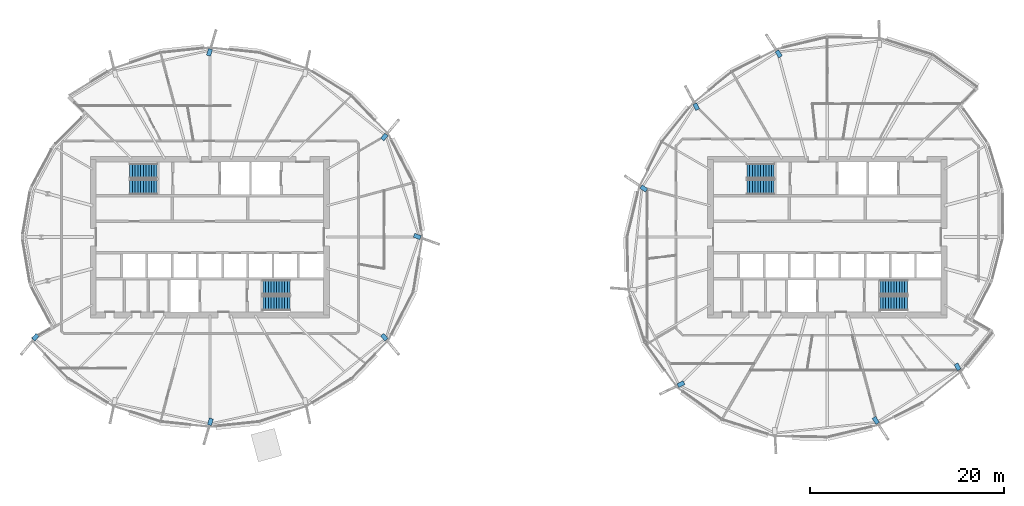
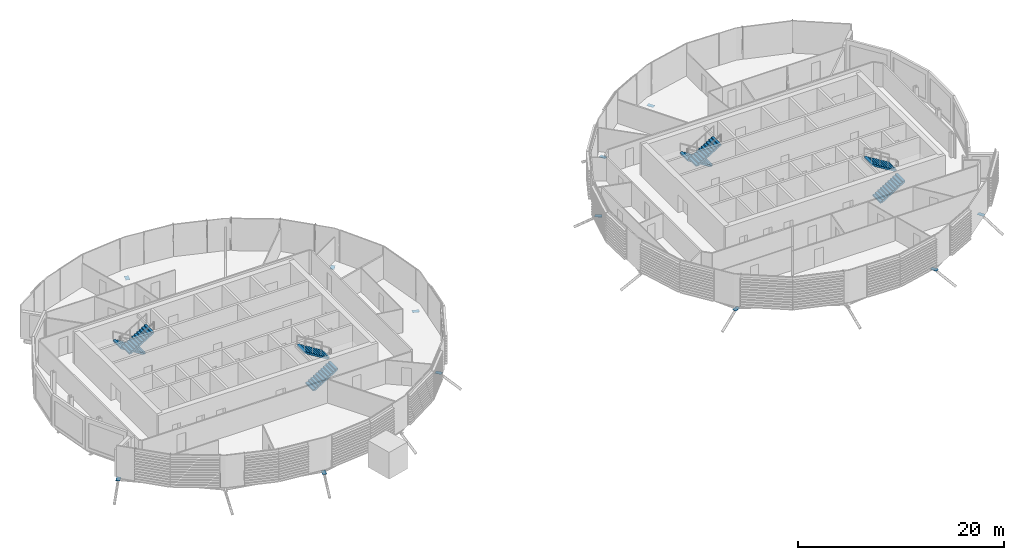
# One storey, part 25 of 38: 12 discrete accessories, 8 stair flights, 4 elements without a shape of their own.
"""IFC4 building model written with IfcOpenShell, lengths in metres."""

import ifcopenshell
import ifcopenshell.guid

model = None  # the IFC model being written
_history = None  # IfcOwnerHistory: only IFC2X3 demands one
_inside = {}  # id of a spatial element -> (the spatial element, [elements in it])
_under = {}  # id of a project, library or spatial element -> (it, [spatial elements below it])
_declared = {}  # id of a project -> (the project, [libraries it declares])
_typed = {}  # id of a type object -> (the type object, [elements of that type])
_made_of = {}  # id of a material, layer set ... -> (it, [elements and type objects made of it])


def new_model(schema):
    """Start an empty IFC model of exactly this schema.

    Asked for "IFC4X3", IfcOpenShell would pick the latest addendum, in which some entities
    have other attributes; the version numbers below select the first issue.
    IFC2X3 requires an IfcOwnerHistory on every rooted entity: one is made here for all.
    """
    global model, _history
    if schema == "IFC4X3":
        model = ifcopenshell.file(schema_version=(4, 3, 0, 0))
    else:
        model = ifcopenshell.file(schema=schema)
    _inside.clear()
    _under.clear()
    _declared.clear()
    _typed.clear()
    _made_of.clear()
    _history = None
    if model.schema == "IFC2X3":
        org = make("IfcOrganization", Name="unknown")
        user = make(
            "IfcPersonAndOrganization",
            ThePerson=make("IfcPerson", FamilyName="unknown"),
            TheOrganization=org,
        )
        app = make(
            "IfcApplication",
            ApplicationDeveloper=org,
            Version="unknown",
            ApplicationFullName="unknown",
            ApplicationIdentifier="unknown",
        )
        _history = make(
            "IfcOwnerHistory",
            OwningUser=user,
            OwningApplication=app,
            ChangeAction="ADDED",
            CreationDate=0,
        )
    return model


def make(cls, **values):
    """One entity of the class cls with the attributes given. An attribute that is None is left unset."""
    return model.create_entity(
        cls, **{name: value for name, value in values.items() if value is not None}
    )


def rooted(cls, **values):
    """An entity with a GlobalId (a new one), such as an element, a storey or a relation."""
    return make(cls, GlobalId=ifcopenshell.guid.new(), OwnerHistory=_history, **values)


def si_unit(unit_type, name, prefix=None):
    """IfcSIUnit, for example si_unit("LENGTHUNIT", "METRE", prefix="MILLI")."""
    return make("IfcSIUnit", UnitType=unit_type, Prefix=prefix, Name=name)


def assignment(units):
    """IfcUnitAssignment: the units of a project."""
    return None if units is None else make("IfcUnitAssignment", Units=units)


def point(xyz):
    """IfcCartesianPoint."""
    return None if xyz is None else make("IfcCartesianPoint", Coordinates=xyz)


def direction(xyz):
    """IfcDirection."""
    return None if xyz is None else make("IfcDirection", DirectionRatios=xyz)


def frame(location, z_axis=None, x_axis=None):
    """IfcAxis2Placement3D, a coordinate frame: its origin and axes. An axis left out is left unset."""
    return make(
        "IfcAxis2Placement3D",
        Location=point(location),
        Axis=direction(z_axis),
        RefDirection=direction(x_axis),
    )


def frame_2d(location, x_axis=None):
    """IfcAxis2Placement2D, a coordinate frame in the plane: its origin and x axis."""
    return make(
        "IfcAxis2Placement2D", Location=point(location), RefDirection=direction(x_axis)
    )


def origin():
    """The frame at (0, 0, 0) with its axes left unset."""
    return frame((0.0, 0.0, 0.0))


def origin_2d():
    """The frame at (0, 0) in the plane with its x axis left unset."""
    return frame_2d((0.0, 0.0))


def place(relative_to, where):
    """IfcLocalPlacement: puts the frame where relative to a parent placement (None: the world)."""
    return make(
        "IfcLocalPlacement", PlacementRelTo=relative_to, RelativePlacement=where
    )


def context(
    kind, dimensions, precision=None, world=None, true_north=None, identifier=None
):
    """IfcGeometricRepresentationContext, for example the 3D "Model" context."""
    return make(
        "IfcGeometricRepresentationContext",
        ContextIdentifier=identifier,
        ContextType=kind,
        CoordinateSpaceDimension=dimensions,
        Precision=precision,
        WorldCoordinateSystem=world,
        TrueNorth=true_north,
    )


def subcontext(parent, identifier, kind, view, scale=None):
    """IfcGeometricRepresentationSubContext, for example "Body" below "Model"."""
    return make(
        "IfcGeometricRepresentationSubContext",
        ContextIdentifier=identifier,
        ContextType=kind,
        ParentContext=parent,
        TargetScale=scale,
        TargetView=view,
    )


def project(units=None, contexts=None):
    """IfcProject with its units and contexts."""
    return rooted(
        "IfcProject",
        Name="project",
        RepresentationContexts=contexts,
        UnitsInContext=assignment(units),
    )


def spatial(cls, under=None, at=None, **own):
    """A site, building, storey or space (cls), placed at a placement, below another one or the project."""
    s = rooted(cls, ObjectPlacement=at, **own)
    if under is not None:
        _under.setdefault(under.id(), (under, []))[1].append(s)
    return s


def polyline(points):
    """IfcPolyline through the points."""
    return make("IfcPolyline", Points=[point(p) for p in points])


def profile(cls, at=None, kind="AREA", **sizes):
    """A parametric profile (cls). Its sizes go by their IFC names, for example OverallWidth=200.0."""
    return make(cls, ProfileType=kind, Position=at, **sizes)


def rectangle(**sizes):
    """IfcRectangleProfileDef."""
    return profile("IfcRectangleProfileDef", **sizes)


def outline(outer, holes=None, kind="AREA"):
    """IfcArbitraryClosedProfileDef: a profile drawn as a closed curve; with holes, ...WithVoids."""
    if holes is None:
        return make("IfcArbitraryClosedProfileDef", ProfileType=kind, OuterCurve=outer)
    return make(
        "IfcArbitraryProfileDefWithVoids",
        ProfileType=kind,
        OuterCurve=outer,
        InnerCurves=holes,
    )


def extrude(swept, where, along, depth):
    """IfcExtrudedAreaSolid: the profile swept, set in the frame where, extruded along a direction by depth."""
    return make(
        "IfcExtrudedAreaSolid",
        SweptArea=swept,
        Position=where,
        ExtrudedDirection=direction(along),
        Depth=depth,
    )


def shape(context_of_items, identifier, shape_type, items):
    """IfcShapeRepresentation: the items that make up one representation, for example the "Body"."""
    return make(
        "IfcShapeRepresentation",
        ContextOfItems=context_of_items,
        RepresentationIdentifier=identifier,
        RepresentationType=shape_type,
        Items=items,
    )


def material(Name=None, Category=None):
    """IfcMaterial."""
    return make("IfcMaterial", Name=Name, Category=Category)


def material_profile(
    of_material, cross_section, Name=None, Category=None, Priority=None
):
    """IfcMaterialProfile: a cross section and its material."""
    return make(
        "IfcMaterialProfile",
        Name=Name,
        Material=of_material,
        Profile=cross_section,
        Priority=Priority,
        Category=Category,
    )


def profile_set(profiles, Name=None, composite=None):
    """IfcMaterialProfileSet."""
    return make(
        "IfcMaterialProfileSet",
        Name=Name,
        MaterialProfiles=profiles,
        CompositeProfile=composite,
    )


def made_of(thing, what):
    """Note that an element or type object is made of a material, layer set ...; save() writes the relation."""
    if what is not None:
        _made_of.setdefault(what.id(), (what, []))[1].append(thing)
    return thing


def type_object(cls, material=None, **own):
    """A type object (cls), such as IfcWallType, which elements share."""
    return made_of(rooted(cls, **own), material)


def element(
    cls,
    number,
    at=None,
    inside=None,
    cuts=None,
    type_object=None,
    material=None,
    context=None,
    identifier="Body",
    shape_type=None,
    held_by="IfcProductDefinitionShape",
    body=None,
    shapes=None,
    **own,
):
    """One element of the class cls, such as IfcWall. Its Tag is "e" and its number.

    at: its placement. inside: the storey or other place that contains it. cuts: it is an
    opening in that element (IfcRelVoidsElement). A single representation is given by context,
    identifier, shape_type and body (its items); several are given by shapes. held_by: the class
    of the entity that holds the representations. save() writes the other relations.
    """
    e = rooted(cls, Tag="e%d" % number, ObjectPlacement=at, **own)
    if body is not None:
        shapes = [shape(context, identifier, shape_type, body)]
    if shapes is not None:
        e.Representation = make(held_by, Representations=shapes)
    if inside is not None:
        _inside.setdefault(inside.id(), (inside, []))[1].append(e)
    if cuts is not None:
        rooted(
            "IfcRelVoidsElement", RelatingBuildingElement=cuts, RelatedOpeningElement=e
        )
    if type_object is not None:
        _typed.setdefault(type_object.id(), (type_object, []))[1].append(e)
    return made_of(e, material)


def aggregate(whole, parts):
    """IfcRelAggregates: a whole, such as a stair, and the parts it consists of."""
    return rooted("IfcRelAggregates", RelatingObject=whole, RelatedObjects=parts)


def save(model, path):
    """Write the relations noted so far, then the file.

    IfcRelAggregates (storeys below a building ...), IfcRelContainedInSpatialStructure (elements
    in a storey), IfcRelDefinesByType, IfcRelAssociatesMaterial and IfcRelDeclares: one each for
    every whole, place, type object, material and project.
    """
    for whole, parts in _under.values():
        aggregate(whole, parts)
    for where, things in _inside.values():
        rooted(
            "IfcRelContainedInSpatialStructure",
            RelatedElements=things,
            RelatingStructure=where,
        )
    for kind, things in _typed.values():
        rooted("IfcRelDefinesByType", RelatedObjects=things, RelatingType=kind)
    for what, things in _made_of.values():
        rooted("IfcRelAssociatesMaterial", RelatedObjects=things, RelatingMaterial=what)
    for by, libraries in _declared.values():
        rooted("IfcRelDeclares", RelatingContext=by, RelatedDefinitions=libraries)
    model.write(path)


model = new_model("IFC4")

# Units and contexts
model_context = context("Model", 3, precision=1e-05, world=origin(), true_north=direction((0.0, 1.0)))
body_context = subcontext(model_context, "Body", "Model", "MODEL_VIEW")
ifc_project = project(units=[si_unit("LENGTHUNIT", "METRE"), si_unit("AREAUNIT", "SQUARE_METRE"), si_unit("VOLUMEUNIT", "CUBIC_METRE"), si_unit("PLANEANGLEUNIT", "RADIAN"), si_unit("MASSUNIT", "GRAM", prefix="KILO")], contexts=[model_context])

# Site, building, storey
site_placement = place(None, origin())
site = spatial("IfcSite", under=ifc_project, at=site_placement, CompositionType="ELEMENT")
building_placement = place(site_placement, origin())
building = spatial("IfcBuilding", under=site, at=building_placement, Name="Rimbun Link Towers", CompositionType="ELEMENT")
storey_placement = place(building_placement, frame((0.0, 0.0, 185.5)))
storey = spatial("IfcBuildingStorey", under=building, at=storey_placement, Name="L45", CompositionType="ELEMENT", Elevation=185.5)

# Stair, stair flights
ifc_material_1 = material(Name="Concrete C40/50", Category="concrete")
stair_type = type_object("IfcStairType", Name="Exit stair 3800 rise", PredefinedType="HALF_TURN_STAIR", material=ifc_material_1)
stair_1_placement = place(storey_placement, origin())
stair_1 = element("IfcStair", 1, at=stair_1_placement, inside=storey, type_object=stair_type, Name="L45 EXIT STAIR A", PredefinedType="HALF_TURN_STAIR")
ifc_material_2 = material(Name="Concrete C40/50", Category="concrete")
stair_flight_type = type_object("IfcStairFlightType", Name="Exit stair flight 3800 rise", PredefinedType="STRAIGHT", material=ifc_material_2)
stair_flight_1_placement = place(storey_placement, frame((-37.199951171875, 6.800048828125, 0.0), z_axis=(0.0, 0.0, 1.0), x_axis=(-1.0, 0.0, 0.0)))
stair_flight_1 = element("IfcStairFlight", 2, at=stair_flight_1_placement, type_object=stair_flight_type, Name="ST1 flight 1", NumberOfRisers=11, NumberOfTreads=10, PredefinedType="STRAIGHT", RiserHeight=0.172727273, TreadLength=0.28, context=body_context, shape_type="SweptSolid", body=[
    extrude(outline(polyline([(0.0, 0.0), (0.0, 0.172607421875), (0.280029296875, 0.172607421875), (0.280029296875, 0.345458984375), (0.56005859375, 0.345458984375), (0.56005859375, 0.51806640625), (0.840087890625, 0.51806640625), (0.840087890625, 0.69091796875), (1.1201171875, 0.69091796875), (1.1201171875, 0.863525390625), (1.39990234375, 0.863525390625), (1.39990234375, 1.036376953125), (1.679931640625, 1.036376953125), (1.679931640625, 1.208984375), (1.9599609375, 1.208984375), (1.9599609375, 1.3818359375), (2.239990234375, 1.3818359375), (2.239990234375, 1.554443359375), (2.52001953125, 1.554443359375), (2.52001953125, 1.727294921875), (2.800048828125, 1.727294921875), (2.800048828125, 1.89990234375), (2.800048828125, 1.551025390625), (0.280029296875, 0.0), (0.0, 0.0)])), frame((0.0, 0.75, 0.0), z_axis=(0.0, -1.0, 0.0), x_axis=(1.0, 0.0, 0.0)), (0.0, 0.0, 1.0), 1.5),
])
stair_flight_2_placement = place(storey_placement, frame((-40.0, 5.14990234375, 1.89990234375), z_axis=(0.0, 0.0, 1.0), x_axis=(1.0, 0.0, 0.0)))
stair_flight_2 = element("IfcStairFlight", 3, at=stair_flight_2_placement, type_object=stair_flight_type, Name="ST1 flight 2", NumberOfRisers=11, NumberOfTreads=10, PredefinedType="STRAIGHT", RiserHeight=0.172727273, TreadLength=0.28, context=body_context, shape_type="SweptSolid", body=[
    extrude(outline(polyline([(0.0, 0.0), (0.0, 0.172607421875), (0.280029296875, 0.172607421875), (0.280029296875, 0.345458984375), (0.56005859375, 0.345458984375), (0.56005859375, 0.51806640625), (0.840087890625, 0.51806640625), (0.840087890625, 0.69091796875), (1.1201171875, 0.69091796875), (1.1201171875, 0.863525390625), (1.39990234375, 0.863525390625), (1.39990234375, 1.036376953125), (1.679931640625, 1.036376953125), (1.679931640625, 1.208984375), (1.9599609375, 1.208984375), (1.9599609375, 1.3818359375), (2.239990234375, 1.3818359375), (2.239990234375, 1.554443359375), (2.52001953125, 1.554443359375), (2.52001953125, 1.727294921875), (2.800048828125, 1.727294921875), (2.800048828125, 1.89990234375), (2.800048828125, 1.551025390625), (0.280029296875, 0.0), (0.0, 0.0)])), frame((0.0, 0.75, 0.0), z_axis=(0.0, -1.0, 0.0), x_axis=(1.0, 0.0, 0.0)), (0.0, 0.0, 1.0), 1.5),
])
aggregate(stair_1, [stair_flight_1, stair_flight_2])

stair_2_placement = place(storey_placement, origin())
stair_2 = element("IfcStair", 4, at=stair_2_placement, inside=storey, type_object=stair_type, Name="L45 EXIT STAIR B", PredefinedType="HALF_TURN_STAIR")
stair_flight_3_placement = place(storey_placement, frame((-26.300048828125, -6.800048828125, 0.0), z_axis=(0.0, 0.0, 1.0), x_axis=(1.0, 0.0, 0.0)))
stair_flight_3 = element("IfcStairFlight", 5, at=stair_flight_3_placement, type_object=stair_flight_type, Name="ST2 flight 1", NumberOfRisers=11, NumberOfTreads=10, PredefinedType="STRAIGHT", RiserHeight=0.172727273, TreadLength=0.28, context=body_context, shape_type="SweptSolid", body=[
    extrude(outline(polyline([(0.0, 0.0), (0.0, 0.172607421875), (0.280029296875, 0.172607421875), (0.280029296875, 0.345458984375), (0.56005859375, 0.345458984375), (0.56005859375, 0.51806640625), (0.840087890625, 0.51806640625), (0.840087890625, 0.69091796875), (1.1201171875, 0.69091796875), (1.1201171875, 0.863525390625), (1.39990234375, 0.863525390625), (1.39990234375, 1.036376953125), (1.679931640625, 1.036376953125), (1.679931640625, 1.208984375), (1.9599609375, 1.208984375), (1.9599609375, 1.3818359375), (2.239990234375, 1.3818359375), (2.239990234375, 1.554443359375), (2.52001953125, 1.554443359375), (2.52001953125, 1.727294921875), (2.800048828125, 1.727294921875), (2.800048828125, 1.89990234375), (2.800048828125, 1.551025390625), (0.280029296875, 0.0), (0.0, 0.0)])), frame((0.0, 0.75, 0.0), z_axis=(0.0, -1.0, 0.0), x_axis=(1.0, 0.0, 0.0)), (0.0, 0.0, 1.0), 1.5),
])
stair_flight_4_placement = place(storey_placement, frame((-23.5, -5.14990234375, 1.89990234375), z_axis=(0.0, 0.0, 1.0), x_axis=(-1.0, 0.0, 0.0)))
stair_flight_4 = element("IfcStairFlight", 6, at=stair_flight_4_placement, type_object=stair_flight_type, Name="ST2 flight 2", NumberOfRisers=11, NumberOfTreads=10, PredefinedType="STRAIGHT", RiserHeight=0.172727273, TreadLength=0.28, context=body_context, shape_type="SweptSolid", body=[
    extrude(outline(polyline([(0.0, 0.0), (0.0, 0.172607421875), (0.280029296875, 0.172607421875), (0.280029296875, 0.345458984375), (0.56005859375, 0.345458984375), (0.56005859375, 0.51806640625), (0.840087890625, 0.51806640625), (0.840087890625, 0.69091796875), (1.1201171875, 0.69091796875), (1.1201171875, 0.863525390625), (1.39990234375, 0.863525390625), (1.39990234375, 1.036376953125), (1.679931640625, 1.036376953125), (1.679931640625, 1.208984375), (1.9599609375, 1.208984375), (1.9599609375, 1.3818359375), (2.239990234375, 1.3818359375), (2.239990234375, 1.554443359375), (2.52001953125, 1.554443359375), (2.52001953125, 1.727294921875), (2.800048828125, 1.727294921875), (2.800048828125, 1.89990234375), (2.800048828125, 1.551025390625), (0.280029296875, 0.0), (0.0, 0.0)])), frame((0.0, 0.75, 0.0), z_axis=(0.0, -1.0, 0.0), x_axis=(1.0, 0.0, 0.0)), (0.0, 0.0, 1.0), 1.5),
])
aggregate(stair_2, [stair_flight_3, stair_flight_4])

stair_3_placement = place(storey_placement, origin())
stair_3 = element("IfcStair", 7, at=stair_3_placement, inside=storey, type_object=stair_type, Name="L45 EXIT STAIR A", PredefinedType="HALF_TURN_STAIR")
stair_flight_5_placement = place(storey_placement, frame((26.300048828125, 6.800048828125, 0.0), z_axis=(0.0, 0.0, 1.0), x_axis=(-1.0, 0.0, 0.0)))
stair_flight_5 = element("IfcStairFlight", 8, at=stair_flight_5_placement, type_object=stair_flight_type, Name="ST3 flight 1", NumberOfRisers=11, NumberOfTreads=10, PredefinedType="STRAIGHT", RiserHeight=0.172727273, TreadLength=0.28, context=body_context, shape_type="SweptSolid", body=[
    extrude(outline(polyline([(0.0, 0.0), (0.0, 0.172607421875), (0.280029296875, 0.172607421875), (0.280029296875, 0.345458984375), (0.56005859375, 0.345458984375), (0.56005859375, 0.51806640625), (0.840087890625, 0.51806640625), (0.840087890625, 0.69091796875), (1.1201171875, 0.69091796875), (1.1201171875, 0.863525390625), (1.39990234375, 0.863525390625), (1.39990234375, 1.036376953125), (1.679931640625, 1.036376953125), (1.679931640625, 1.208984375), (1.9599609375, 1.208984375), (1.9599609375, 1.3818359375), (2.239990234375, 1.3818359375), (2.239990234375, 1.554443359375), (2.52001953125, 1.554443359375), (2.52001953125, 1.727294921875), (2.800048828125, 1.727294921875), (2.800048828125, 1.89990234375), (2.800048828125, 1.551025390625), (0.280029296875, 0.0), (0.0, 0.0)])), frame((0.0, 0.75, 0.0), z_axis=(0.0, -1.0, 0.0), x_axis=(1.0, 0.0, 0.0)), (0.0, 0.0, 1.0), 1.5),
])
stair_flight_6_placement = place(storey_placement, frame((23.5, 5.14990234375, 1.89990234375), z_axis=(0.0, 0.0, 1.0), x_axis=(1.0, 0.0, 0.0)))
stair_flight_6 = element("IfcStairFlight", 9, at=stair_flight_6_placement, type_object=stair_flight_type, Name="ST3 flight 2", NumberOfRisers=11, NumberOfTreads=10, PredefinedType="STRAIGHT", RiserHeight=0.172727273, TreadLength=0.28, context=body_context, shape_type="SweptSolid", body=[
    extrude(outline(polyline([(0.0, 0.0), (0.0, 0.172607421875), (0.280029296875, 0.172607421875), (0.280029296875, 0.345458984375), (0.56005859375, 0.345458984375), (0.56005859375, 0.51806640625), (0.840087890625, 0.51806640625), (0.840087890625, 0.69091796875), (1.1201171875, 0.69091796875), (1.1201171875, 0.863525390625), (1.39990234375, 0.863525390625), (1.39990234375, 1.036376953125), (1.679931640625, 1.036376953125), (1.679931640625, 1.208984375), (1.9599609375, 1.208984375), (1.9599609375, 1.3818359375), (2.239990234375, 1.3818359375), (2.239990234375, 1.554443359375), (2.52001953125, 1.554443359375), (2.52001953125, 1.727294921875), (2.800048828125, 1.727294921875), (2.800048828125, 1.89990234375), (2.800048828125, 1.551025390625), (0.280029296875, 0.0), (0.0, 0.0)])), frame((0.0, 0.75, 0.0), z_axis=(0.0, -1.0, 0.0), x_axis=(1.0, 0.0, 0.0)), (0.0, 0.0, 1.0), 1.5),
])
aggregate(stair_3, [stair_flight_5, stair_flight_6])

stair_4_placement = place(storey_placement, origin())
stair_4 = element("IfcStair", 10, at=stair_4_placement, inside=storey, type_object=stair_type, Name="L45 EXIT STAIR B", PredefinedType="HALF_TURN_STAIR")
stair_flight_7_placement = place(storey_placement, frame((37.199951171875, -6.800048828125, 0.0), z_axis=(0.0, 0.0, 1.0), x_axis=(1.0, 0.0, 0.0)))
stair_flight_7 = element("IfcStairFlight", 11, at=stair_flight_7_placement, type_object=stair_flight_type, Name="ST4 flight 1", NumberOfRisers=11, NumberOfTreads=10, PredefinedType="STRAIGHT", RiserHeight=0.172727273, TreadLength=0.28, context=body_context, shape_type="SweptSolid", body=[
    extrude(outline(polyline([(0.0, 0.0), (0.0, 0.172607421875), (0.280029296875, 0.172607421875), (0.280029296875, 0.345458984375), (0.56005859375, 0.345458984375), (0.56005859375, 0.51806640625), (0.840087890625, 0.51806640625), (0.840087890625, 0.69091796875), (1.1201171875, 0.69091796875), (1.1201171875, 0.863525390625), (1.39990234375, 0.863525390625), (1.39990234375, 1.036376953125), (1.679931640625, 1.036376953125), (1.679931640625, 1.208984375), (1.9599609375, 1.208984375), (1.9599609375, 1.3818359375), (2.239990234375, 1.3818359375), (2.239990234375, 1.554443359375), (2.52001953125, 1.554443359375), (2.52001953125, 1.727294921875), (2.800048828125, 1.727294921875), (2.800048828125, 1.89990234375), (2.800048828125, 1.551025390625), (0.280029296875, 0.0), (0.0, 0.0)])), frame((0.0, 0.75, 0.0), z_axis=(0.0, -1.0, 0.0), x_axis=(1.0, 0.0, 0.0)), (0.0, 0.0, 1.0), 1.5),
])
stair_flight_8_placement = place(storey_placement, frame((40.0, -5.14990234375, 1.89990234375), z_axis=(0.0, 0.0, 1.0), x_axis=(-1.0, 0.0, 0.0)))
stair_flight_8 = element("IfcStairFlight", 12, at=stair_flight_8_placement, type_object=stair_flight_type, Name="ST4 flight 2", NumberOfRisers=11, NumberOfTreads=10, PredefinedType="STRAIGHT", RiserHeight=0.172727273, TreadLength=0.28, context=body_context, shape_type="SweptSolid", body=[
    extrude(outline(polyline([(0.0, 0.0), (0.0, 0.172607421875), (0.280029296875, 0.172607421875), (0.280029296875, 0.345458984375), (0.56005859375, 0.345458984375), (0.56005859375, 0.51806640625), (0.840087890625, 0.51806640625), (0.840087890625, 0.69091796875), (1.1201171875, 0.69091796875), (1.1201171875, 0.863525390625), (1.39990234375, 0.863525390625), (1.39990234375, 1.036376953125), (1.679931640625, 1.036376953125), (1.679931640625, 1.208984375), (1.9599609375, 1.208984375), (1.9599609375, 1.3818359375), (2.239990234375, 1.3818359375), (2.239990234375, 1.554443359375), (2.52001953125, 1.554443359375), (2.52001953125, 1.727294921875), (2.800048828125, 1.727294921875), (2.800048828125, 1.89990234375), (2.800048828125, 1.551025390625), (0.280029296875, 0.0), (0.0, 0.0)])), frame((0.0, 0.75, 0.0), z_axis=(0.0, -1.0, 0.0), x_axis=(1.0, 0.0, 0.0)), (0.0, 0.0, 1.0), 1.5),
])
aggregate(stair_4, [stair_flight_7, stair_flight_8])

# Discrete accessories
ifc_material_3 = material(Name="Steel S355J2H", Category="steel")
ifc_material_profile = material_profile(ifc_material_3, rectangle(XDim=0.43310546875, YDim=0.43310546875, at=origin_2d()), Name="PL 433x433")
ifc_profile_set = profile_set([ifc_material_profile], Name="Steel S355J2H")
discrete_accessory_type = type_object("IfcDiscreteAccessoryType", Name="Link head end plate 433X20", PredefinedType="BRACKET", material=ifc_profile_set)
discrete_accessory_1_placement = place(storey_placement, frame((0.0, 0.0, -0.703125)))
element("IfcDiscreteAccessory", 13, at=discrete_accessory_1_placement, inside=storey, type_object=discrete_accessory_type, Name="Link head end plate T1 L45 00", PredefinedType="BRACKET", context=body_context, shape_type="SweptSolid", body=[
    extrude(outline(polyline([(-10.828369140625, -0.0244140625), (-10.152587890625, -0.265380859375), (-10.007080078125, 0.142333984375), (-10.682861328125, 0.383544921875), (-10.828369140625, -0.0244140625)])), origin(), (0.0, 0.0, 1.0), 0.02001953125),
])
discrete_accessory_2_placement = place(storey_placement, frame((0.0, 0.0, -0.52490234375)))
element("IfcDiscreteAccessory", 14, at=discrete_accessory_2_placement, inside=storey, type_object=discrete_accessory_type, Name="Link head end plate T1 L45 02", PredefinedType="BRACKET", context=body_context, shape_type="SweptSolid", body=[
    extrude(outline(polyline([(-13.861572265625, 9.893798828125), (-13.4248046875, 10.41943359375), (-13.7578125, 10.6962890625), (-14.194580078125, 10.170654296875), (-13.861572265625, 9.893798828125)])), origin(), (0.0, 0.0, 1.0), 0.02001953125),
])
discrete_accessory_3_placement = place(storey_placement, frame((0.0, 0.0, -0.772705078125)))
element("IfcDiscreteAccessory", 15, at=discrete_accessory_3_placement, inside=storey, type_object=discrete_accessory_type, Name="Link head end plate T1 L45 06", PredefinedType="BRACKET", context=body_context, shape_type="SweptSolid", body=[
    extrude(outline(polyline([(-31.686767578125, 18.605712890625), (-31.49072265625, 19.27978515625), (-31.906494140625, 19.400634765625), (-32.1025390625, 18.726806640625), (-31.686767578125, 18.605712890625)])), origin(), (0.0, 0.0, 1.0), 0.02001953125),
])
discrete_accessory_4_placement = place(storey_placement, frame((0.0, 0.0, -0.52490234375)))
element("IfcDiscreteAccessory", 16, at=discrete_accessory_4_placement, inside=storey, type_object=discrete_accessory_type, Name="Link head end plate T1 L45 14", PredefinedType="BRACKET", context=body_context, shape_type="SweptSolid", body=[
    extrude(outline(polyline([(-49.638427734375, -9.893798828125), (-50.0751953125, -10.41943359375), (-49.7421875, -10.6962890625), (-49.305419921875, -10.170654296875), (-49.638427734375, -9.893798828125)])), origin(), (0.0, 0.0, 1.0), 0.02001953125),
])
discrete_accessory_5_placement = place(storey_placement, frame((0.0, 0.0, -0.772705078125)))
element("IfcDiscreteAccessory", 17, at=discrete_accessory_5_placement, inside=storey, type_object=discrete_accessory_type, Name="Link head end plate T1 L45 18", PredefinedType="BRACKET", context=body_context, shape_type="SweptSolid", body=[
    extrude(outline(polyline([(-31.813232421875, -18.605712890625), (-32.00927734375, -19.27978515625), (-31.593505859375, -19.400634765625), (-31.3974609375, -18.726806640625), (-31.813232421875, -18.605712890625)])), origin(), (0.0, 0.0, 1.0), 0.02001953125),
])
discrete_accessory_6_placement = place(storey_placement, frame((0.0, 0.0, -0.52490234375)))
element("IfcDiscreteAccessory", 18, at=discrete_accessory_6_placement, inside=storey, type_object=discrete_accessory_type, Name="Link head end plate T1 L45 22", PredefinedType="BRACKET", context=body_context, shape_type="SweptSolid", body=[
    extrude(outline(polyline([(-14.194580078125, -10.170654296875), (-13.7578125, -10.6962890625), (-13.4248046875, -10.41943359375), (-13.861572265625, -9.893798828125), (-14.194580078125, -10.170654296875)])), origin(), (0.0, 0.0, 1.0), 0.02001953125),
])
discrete_accessory_7_placement = place(storey_placement, frame((0.0, 0.0, -0.772705078125)))
element("IfcDiscreteAccessory", 19, at=discrete_accessory_7_placement, inside=storey, type_object=discrete_accessory_type, Name="Link head end plate T2 L45 04", PredefinedType="BRACKET", context=body_context, shape_type="SweptSolid", body=[
    extrude(outline(polyline([(27.132080078125, 18.66650390625), (26.7412109375, 19.273681640625), (26.377197265625, 19.039306640625), (26.76806640625, 18.43212890625), (27.132080078125, 18.66650390625)])), origin(), (0.0, 0.0, 1.0), 0.02001953125),
])
discrete_accessory_8_placement = place(storey_placement, frame((0.0, 0.0, -0.576416015625)))
element("IfcDiscreteAccessory", 20, at=discrete_accessory_8_placement, inside=storey, type_object=discrete_accessory_type, Name="Link head end plate T2 L45 06", PredefinedType="BRACKET", context=body_context, shape_type="SweptSolid", body=[
    extrude(outline(polyline([(18.619873046875, 13.21533203125), (18.304931640625, 13.815185546875), (17.92138671875, 13.614013671875), (18.236328125, 13.01416015625), (18.619873046875, 13.21533203125)])), origin(), (0.0, 0.0, 1.0), 0.02001953125),
])
discrete_accessory_9_placement = place(storey_placement, frame((0.0, 0.0, -0.576416015625)))
element("IfcDiscreteAccessory", 21, at=discrete_accessory_9_placement, inside=storey, type_object=discrete_accessory_type, Name="Link head end plate T2 L45 08", PredefinedType="BRACKET", context=body_context, shape_type="SweptSolid", body=[
    extrude(outline(polyline([(13.291259765625, 4.987060546875), (12.71533203125, 5.3740234375), (12.473876953125, 5.014892578125), (13.049560546875, 4.627685546875), (13.291259765625, 4.987060546875)])), origin(), (0.0, 0.0, 1.0), 0.02001953125),
])
discrete_accessory_10_placement = place(storey_placement, frame((0.0, 0.0, -0.703125)))
element("IfcDiscreteAccessory", 22, at=discrete_accessory_10_placement, inside=storey, type_object=discrete_accessory_type, Name="Link head end plate T2 L45 12", PredefinedType="BRACKET", context=body_context, shape_type="SweptSolid", body=[
    extrude(outline(polyline([(16.93896484375, -14.776611328125), (16.29052734375, -15.083984375), (16.47607421875, -15.47509765625), (17.12451171875, -15.16796875), (16.93896484375, -14.776611328125)])), origin(), (0.0, 0.0, 1.0), 0.02001953125),
])
discrete_accessory_11_placement = place(storey_placement, frame((0.0, 0.0, -0.772705078125)))
element("IfcDiscreteAccessory", 23, at=discrete_accessory_11_placement, inside=storey, type_object=discrete_accessory_type, Name="Link head end plate T2 L45 16", PredefinedType="BRACKET", context=body_context, shape_type="SweptSolid", body=[
    extrude(outline(polyline([(36.367919921875, -18.66650390625), (36.7587890625, -19.273681640625), (37.122802734375, -19.039306640625), (36.73193359375, -18.43212890625), (36.367919921875, -18.66650390625)])), origin(), (0.0, 0.0, 1.0), 0.02001953125),
])
discrete_accessory_12_placement = place(storey_placement, frame((0.0, 0.0, -0.576416015625)))
element("IfcDiscreteAccessory", 24, at=discrete_accessory_12_placement, inside=storey, type_object=discrete_accessory_type, Name="Link head end plate T2 L45 18", PredefinedType="BRACKET", context=body_context, shape_type="SweptSolid", body=[
    extrude(outline(polyline([(44.806396484375, -13.1435546875), (45.133544921875, -13.751708984375), (45.514892578125, -13.54638671875), (45.1875, -12.9384765625), (44.806396484375, -13.1435546875)])), origin(), (0.0, 0.0, 1.0), 0.02001953125),
])

save(model, "model.ifc")
